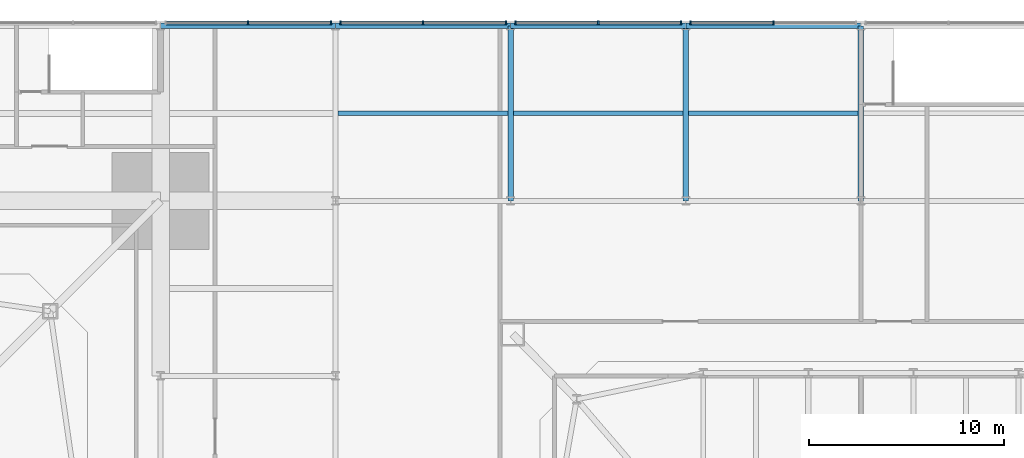
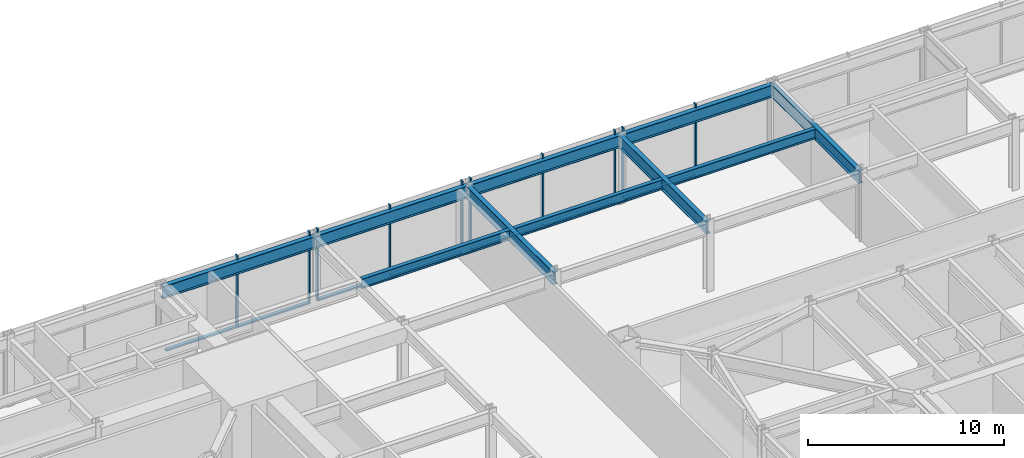
# One storey, part 16 of 30: 17 members, 10 beams, 4 elements without a shape of their own.
"""IFC4 building model written with IfcOpenShell, lengths in metres."""

from ifc_helpers import new_model, si_unit, direction, frame, origin, origin_2d, place, context, subcontext, project, spatial, rectangle, i_section, extrude, material, material_profile, profile_set, type_object, element, aggregate, save


model = new_model("IFC4")

# Units and contexts
model_context = context("Model", 3, precision=1e-05, world=origin(), true_north=direction((0.0, 1.0)))
body_context = subcontext(model_context, "Body", "Model", "MODEL_VIEW")
ifc_project = project(units=[si_unit("LENGTHUNIT", "METRE"), si_unit("AREAUNIT", "SQUARE_METRE"), si_unit("VOLUMEUNIT", "CUBIC_METRE"), si_unit("PLANEANGLEUNIT", "RADIAN"), si_unit("MASSUNIT", "GRAM", prefix="KILO")], contexts=[model_context])

# Site, building, storey
site_placement = place(None, origin())
site = spatial("IfcSite", under=ifc_project, at=site_placement, CompositionType="ELEMENT")
building_placement = place(site_placement, origin())
building = spatial("IfcBuilding", under=site, at=building_placement, Name="Iwan Alto Co-Living Towers", CompositionType="ELEMENT")
storey_placement = place(building_placement, frame((0.0, 0.0, 10.5)))
storey = spatial("IfcBuildingStorey", under=building, at=storey_placement, Name="L02", CompositionType="ELEMENT", Elevation=10.5)

# Curtain wall, members
ifc_material_1 = material(Name="Bronze aluminium stick frame", Category="aluminium")
curtain_wall_type = type_object("IfcCurtainWallType", Name="CURTAIN WALL CW-E", PredefinedType="NOTDEFINED", material=ifc_material_1)
curtain_wall_1_placement = place(storey_placement, origin())
curtain_wall_1 = element("IfcCurtainWall", 1, at=curtain_wall_1_placement, inside=storey, type_object=curtain_wall_type, Name="Podium curtain wall N L02", PredefinedType="NOTDEFINED")
ifc_material_2 = material(Name="Aluminium 6063-T6 bronze anodised", Category="aluminium")
ifc_material_profile_1 = material_profile(ifc_material_2, rectangle(XDim=0.199951171875, YDim=0.080078125, at=origin_2d()), Name="AL 80X200")
ifc_profile_set_1 = profile_set([ifc_material_profile_1], Name="Aluminium 6063-T6 bronze anodised")
member_type_1 = type_object("IfcMemberType", Name="CW-E MULLION 80X200", PredefinedType="MULLION", material=ifc_profile_set_1)
member_1_placement = place(storey_placement, frame((35.754150390625, 36.14990234375, 0.0), z_axis=(0.0, 0.0, 1.0), x_axis=(0.0, -1.0, 0.0)))
member_1 = element("IfcMember", 2, at=member_1_placement, type_object=member_type_1, Name="CW-E mullion 1", PredefinedType="MULLION", context=body_context, shape_type="SweptSolid", body=[
    extrude(rectangle(XDim=0.199951171875, YDim=0.080078125, at=origin_2d()), origin(), (0.0, 0.0, 1.0), 4.5),
])
member_2_placement = place(storey_placement, frame((31.5, 36.14990234375, 0.0), z_axis=(0.0, 0.0, 1.0), x_axis=(0.0, -1.0, 0.0)))
member_2 = element("IfcMember", 3, at=member_2_placement, type_object=member_type_1, Name="CW-E mullion 2", PredefinedType="MULLION", context=body_context, shape_type="SweptSolid", body=[
    extrude(rectangle(XDim=0.199951171875, YDim=0.080078125, at=origin_2d()), origin(), (0.0, 0.0, 1.0), 4.5),
])

curtain_wall_2_placement = place(storey_placement, origin())
curtain_wall_2 = element("IfcCurtainWall", 4, at=curtain_wall_2_placement, inside=storey, type_object=curtain_wall_type, Name="Podium curtain wall N L02", PredefinedType="NOTDEFINED")
member_3_placement = place(storey_placement, frame((44.754150390625, 36.14990234375, 0.0), z_axis=(0.0, 0.0, 1.0), x_axis=(0.0, -1.0, 0.0)))
member_3 = element("IfcMember", 5, at=member_3_placement, type_object=member_type_1, Name="CW-E mullion 1", PredefinedType="MULLION", context=body_context, shape_type="SweptSolid", body=[
    extrude(rectangle(XDim=0.199951171875, YDim=0.080078125, at=origin_2d()), origin(), (0.0, 0.0, 1.0), 4.5),
])
member_4_placement = place(storey_placement, frame((40.5, 36.14990234375, 0.0), z_axis=(0.0, 0.0, 1.0), x_axis=(0.0, -1.0, 0.0)))
member_4 = element("IfcMember", 6, at=member_4_placement, type_object=member_type_1, Name="CW-E mullion 2", PredefinedType="MULLION", context=body_context, shape_type="SweptSolid", body=[
    extrude(rectangle(XDim=0.199951171875, YDim=0.080078125, at=origin_2d()), origin(), (0.0, 0.0, 1.0), 4.5),
])
member_5_placement = place(storey_placement, frame((36.245849609375, 36.14990234375, 0.0), z_axis=(0.0, 0.0, 1.0), x_axis=(0.0, -1.0, 0.0)))
member_5 = element("IfcMember", 7, at=member_5_placement, type_object=member_type_1, Name="CW-E mullion 3", PredefinedType="MULLION", context=body_context, shape_type="SweptSolid", body=[
    extrude(rectangle(XDim=0.199951171875, YDim=0.080078125, at=origin_2d()), origin(), (0.0, 0.0, 1.0), 4.5),
])

curtain_wall_3_placement = place(storey_placement, origin())
curtain_wall_3 = element("IfcCurtainWall", 8, at=curtain_wall_3_placement, inside=storey, type_object=curtain_wall_type, Name="Podium curtain wall N L02", PredefinedType="NOTDEFINED")
member_6_placement = place(storey_placement, frame((53.754150390625, 36.14990234375, 0.0), z_axis=(0.0, 0.0, 1.0), x_axis=(0.0, -1.0, 0.0)))
member_6 = element("IfcMember", 9, at=member_6_placement, type_object=member_type_1, Name="CW-E mullion 1", PredefinedType="MULLION", context=body_context, shape_type="SweptSolid", body=[
    extrude(rectangle(XDim=0.199951171875, YDim=0.080078125, at=origin_2d()), origin(), (0.0, 0.0, 1.0), 4.5),
])
member_7_placement = place(storey_placement, frame((49.5, 36.14990234375, 0.0), z_axis=(0.0, 0.0, 1.0), x_axis=(0.0, -1.0, 0.0)))
member_7 = element("IfcMember", 10, at=member_7_placement, type_object=member_type_1, Name="CW-E mullion 2", PredefinedType="MULLION", context=body_context, shape_type="SweptSolid", body=[
    extrude(rectangle(XDim=0.199951171875, YDim=0.080078125, at=origin_2d()), origin(), (0.0, 0.0, 1.0), 4.5),
])
member_8_placement = place(storey_placement, frame((45.245849609375, 36.14990234375, 0.0), z_axis=(0.0, 0.0, 1.0), x_axis=(0.0, -1.0, 0.0)))
member_8 = element("IfcMember", 11, at=member_8_placement, type_object=member_type_1, Name="CW-E mullion 3", PredefinedType="MULLION", context=body_context, shape_type="SweptSolid", body=[
    extrude(rectangle(XDim=0.199951171875, YDim=0.080078125, at=origin_2d()), origin(), (0.0, 0.0, 1.0), 4.5),
])

curtain_wall_4_placement = place(storey_placement, origin())
curtain_wall_4 = element("IfcCurtainWall", 12, at=curtain_wall_4_placement, inside=storey, type_object=curtain_wall_type, Name="Podium curtain wall N L02", PredefinedType="NOTDEFINED")
member_9_placement = place(storey_placement, frame((58.5, 36.14990234375, 0.0), z_axis=(0.0, 0.0, 1.0), x_axis=(0.0, -1.0, 0.0)))
member_9 = element("IfcMember", 13, at=member_9_placement, type_object=member_type_1, Name="CW-E mullion 2", PredefinedType="MULLION", context=body_context, shape_type="SweptSolid", body=[
    extrude(rectangle(XDim=0.199951171875, YDim=0.080078125, at=origin_2d()), origin(), (0.0, 0.0, 1.0), 4.5),
])
member_10_placement = place(storey_placement, frame((54.245849609375, 36.14990234375, 0.0), z_axis=(0.0, 0.0, 1.0), x_axis=(0.0, -1.0, 0.0)))
member_10 = element("IfcMember", 14, at=member_10_placement, type_object=member_type_1, Name="CW-E mullion 3", PredefinedType="MULLION", context=body_context, shape_type="SweptSolid", body=[
    extrude(rectangle(XDim=0.199951171875, YDim=0.080078125, at=origin_2d()), origin(), (0.0, 0.0, 1.0), 4.5),
])

# Member
ifc_material_3 = material(Name="Aluminium 6063-T6 bronze anodised", Category="aluminium")
ifc_material_profile_2 = material_profile(ifc_material_3, rectangle(XDim=0.199951171875, YDim=0.10009765625, at=origin_2d()), Name="AL 200X100")
ifc_profile_set_2 = profile_set([ifc_material_profile_2], Name="Aluminium 6063-T6 bronze anodised")
member_type_2 = type_object("IfcMemberType", Name="CW-E TRANSOM 200X100", PredefinedType="USERDEFINED", material=ifc_profile_set_2)
member_11_placement = place(storey_placement, frame((35.71435546875, 36.14990234375, 0.050048828125), z_axis=(-1.0, 0.0, 0.0), x_axis=(0.0, -1.0, 0.0)))
member_11 = element("IfcMember", 15, at=member_11_placement, type_object=member_type_2, Name="CW-E transom 1.1", ObjectType="TRANSOM", PredefinedType="USERDEFINED", context=body_context, shape_type="SweptSolid", body=[
    extrude(rectangle(XDim=0.199951171875, YDim=0.10009765625, at=origin_2d()), origin(), (0.0, 0.0, 1.0), 4.17431640625),
])

member_12_placement = place(storey_placement, frame((31.4599609375, 36.14990234375, 0.050048828125), z_axis=(-1.0, 0.0, 0.0), x_axis=(0.0, -1.0, 0.0)))
member_12 = element("IfcMember", 16, at=member_12_placement, type_object=member_type_2, Name="CW-E transom 2.1", ObjectType="TRANSOM", PredefinedType="USERDEFINED", context=body_context, shape_type="SweptSolid", body=[
    extrude(rectangle(XDim=0.199951171875, YDim=0.10009765625, at=origin_2d()), origin(), (0.0, 0.0, 1.0), 4.17431640625),
])

aggregate(curtain_wall_1, [member_1, member_2, member_11, member_12])

member_13_placement = place(storey_placement, frame((44.71435546875, 36.14990234375, 0.050048828125), z_axis=(-1.0, 0.0, 0.0), x_axis=(0.0, -1.0, 0.0)))
member_13 = element("IfcMember", 17, at=member_13_placement, type_object=member_type_2, Name="CW-E transom 1.1", ObjectType="TRANSOM", PredefinedType="USERDEFINED", context=body_context, shape_type="SweptSolid", body=[
    extrude(rectangle(XDim=0.199951171875, YDim=0.10009765625, at=origin_2d()), origin(), (0.0, 0.0, 1.0), 4.17431640625),
])

member_14_placement = place(storey_placement, frame((40.4599609375, 36.14990234375, 0.050048828125), z_axis=(-1.0, 0.0, 0.0), x_axis=(0.0, -1.0, 0.0)))
member_14 = element("IfcMember", 18, at=member_14_placement, type_object=member_type_2, Name="CW-E transom 2.1", ObjectType="TRANSOM", PredefinedType="USERDEFINED", context=body_context, shape_type="SweptSolid", body=[
    extrude(rectangle(XDim=0.199951171875, YDim=0.10009765625, at=origin_2d()), origin(), (0.0, 0.0, 1.0), 4.17431640625),
])

aggregate(curtain_wall_2, [member_3, member_4, member_5, member_13, member_14])

member_15_placement = place(storey_placement, frame((53.71435546875, 36.14990234375, 0.050048828125), z_axis=(-1.0, 0.0, 0.0), x_axis=(0.0, -1.0, 0.0)))
member_15 = element("IfcMember", 19, at=member_15_placement, type_object=member_type_2, Name="CW-E transom 1.1", ObjectType="TRANSOM", PredefinedType="USERDEFINED", context=body_context, shape_type="SweptSolid", body=[
    extrude(rectangle(XDim=0.199951171875, YDim=0.10009765625, at=origin_2d()), origin(), (0.0, 0.0, 1.0), 4.17431640625),
])

member_16_placement = place(storey_placement, frame((49.4599609375, 36.14990234375, 0.050048828125), z_axis=(-1.0, 0.0, 0.0), x_axis=(0.0, -1.0, 0.0)))
member_16 = element("IfcMember", 20, at=member_16_placement, type_object=member_type_2, Name="CW-E transom 2.1", ObjectType="TRANSOM", PredefinedType="USERDEFINED", context=body_context, shape_type="SweptSolid", body=[
    extrude(rectangle(XDim=0.199951171875, YDim=0.10009765625, at=origin_2d()), origin(), (0.0, 0.0, 1.0), 4.17431640625),
])

aggregate(curtain_wall_3, [member_6, member_7, member_8, member_15, member_16])

member_17_placement = place(storey_placement, frame((58.4599609375, 36.14990234375, 0.050048828125), z_axis=(-1.0, 0.0, 0.0), x_axis=(0.0, -1.0, 0.0)))
member_17 = element("IfcMember", 21, at=member_17_placement, type_object=member_type_2, Name="CW-E transom 2.1", ObjectType="TRANSOM", PredefinedType="USERDEFINED", context=body_context, shape_type="SweptSolid", body=[
    extrude(rectangle(XDim=0.199951171875, YDim=0.10009765625, at=origin_2d()), origin(), (0.0, 0.0, 1.0), 4.17431640625),
])

aggregate(curtain_wall_4, [member_9, member_10, member_17])

# Beams
ifc_material_4 = material(Name="Steel ASTM A992 Gr 50", Category="steel")
ifc_material_profile_3 = material_profile(ifc_material_4, i_section(OverallWidth=0.2666015625, OverallDepth=0.76953125, WebThickness=0.015625, FlangeThickness=0.025390625, at=origin_2d()), Name="W30X132")
ifc_profile_set_3 = profile_set([ifc_material_profile_3], Name="Steel ASTM A992 Gr 50")
beam_type_1 = type_object("IfcBeamType", Name="PODIUM BEAM W30X132", PredefinedType="BEAM", material=ifc_profile_set_3)
for number, where, z_axis, x_axis, name in (
    (22, (27.0, 36.0, 3.865234375), (1.0, 0.0, 0.0), (0.0, 1.0, 0.0), "Podium beam 8/I-9/I L03"),
    (23, (36.0, 36.0, 3.865234375), (1.0, 0.0, 0.0), (0.0, 1.0, 0.0), "Podium beam 9/I-10/I L03"),
    (24, (45.0, 27.0, 3.865234375), (0.0, 1.0, 0.0), (-1.0, 0.0, 0.0), "Podium beam 10/H-10/I L03"),
    (25, (45.0, 36.0, 3.865234375), (1.0, 0.0, 0.0), (0.0, 1.0, 0.0), "Podium beam 10/I-11/I L03"),
    (26, (54.0, 27.0, 3.865234375), (0.0, 1.0, 0.0), (-1.0, 0.0, 0.0), "Podium beam 11/H-11/I L03"),
    (27, (54.0, 36.0, 3.865234375), (1.0, 0.0, 0.0), (0.0, 1.0, 0.0), "Podium beam 11/I-12/I L03"),
    (28, (63.0, 27.0, 3.865234375), (0.0, 1.0, 0.0), (-1.0, 0.0, 0.0), "Podium beam 12/H-12/I L03"),
):
    element("IfcBeam", number, at=place(storey_placement, frame(where, z_axis=z_axis, x_axis=x_axis)), inside=storey, type_object=beam_type_1, Name=name, PredefinedType="BEAM", context=body_context, shape_type="SweptSolid", body=[
        extrude(i_section(OverallWidth=0.2666015625, OverallDepth=0.76953125, WebThickness=0.015625, FlangeThickness=0.025390625, at=origin_2d()), origin(), (0.0, 0.0, 1.0), 9.0),
    ])
ifc_material_5 = material(Name="Steel ASTM A992 Gr 50", Category="steel")
ifc_material_profile_4 = material_profile(ifc_material_5, i_section(OverallWidth=0.23046875, OverallDepth=0.6171875, WebThickness=0.01318359375, FlangeThickness=0.022216796875, at=origin_2d()), Name="W24X94")
ifc_profile_set_4 = profile_set([ifc_material_profile_4], Name="Steel ASTM A992 Gr 50")
beam_type_2 = type_object("IfcBeamType", Name="PODIUM SECONDARY BEAM W24X94", PredefinedType="JOIST", material=ifc_profile_set_4)
for number, where, z_axis, x_axis, name in (
    (29, (36.13330078125, 31.5, 3.94140625), (1.0, 0.0, 0.0), (0.0, 1.0, 0.0), "Podium secondary beam 9/H L03"),
    (30, (45.13330078125, 31.5, 3.94140625), (1.0, 0.0, 0.0), (0.0, 1.0, 0.0), "Podium secondary beam 10/H L03"),
    (31, (54.13330078125, 31.5, 3.94140625), (1.0, 0.0, 0.0), (0.0, 1.0, 0.0), "Podium secondary beam 11/H L03"),
):
    element("IfcBeam", number, at=place(storey_placement, frame(where, z_axis=z_axis, x_axis=x_axis)), inside=storey, type_object=beam_type_2, Name=name, PredefinedType="JOIST", context=body_context, shape_type="SweptSolid", body=[
        extrude(i_section(OverallWidth=0.23046875, OverallDepth=0.6171875, WebThickness=0.01318359375, FlangeThickness=0.022216796875, at=origin_2d()), origin(), (0.0, 0.0, 1.0), 8.7333984375),
    ])

save(model, "model.ifc")
